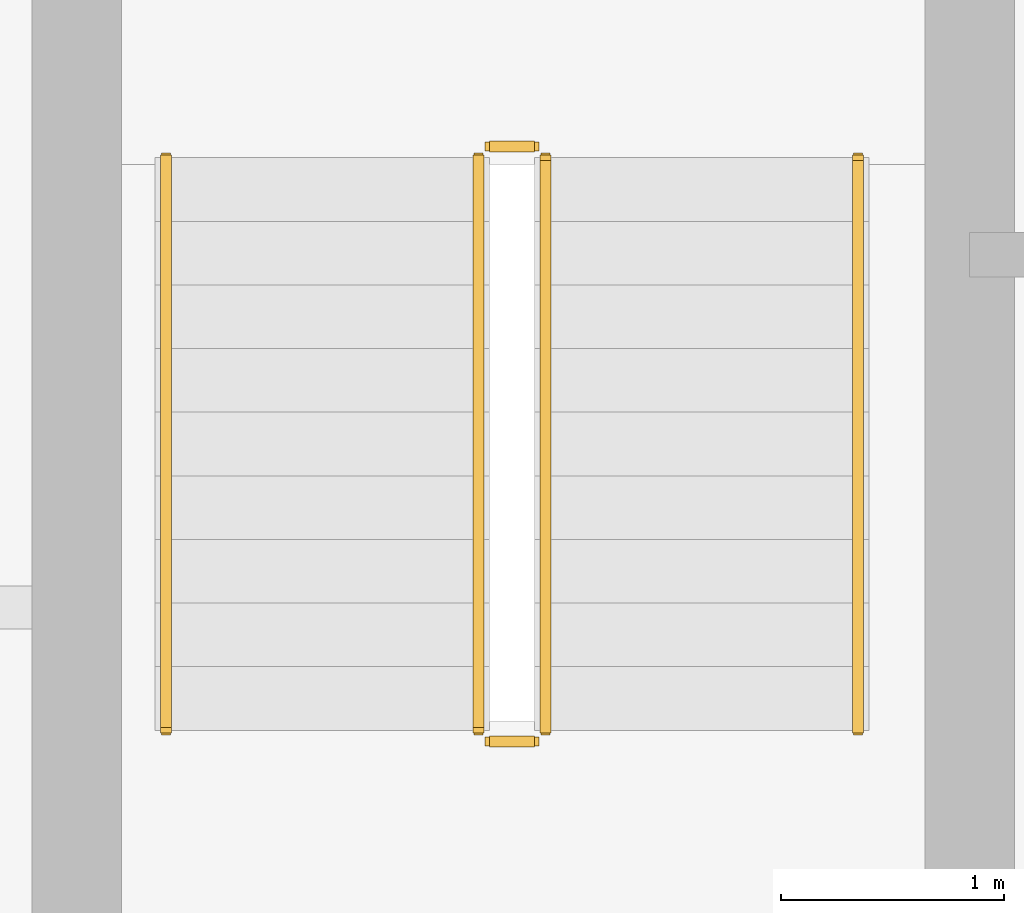
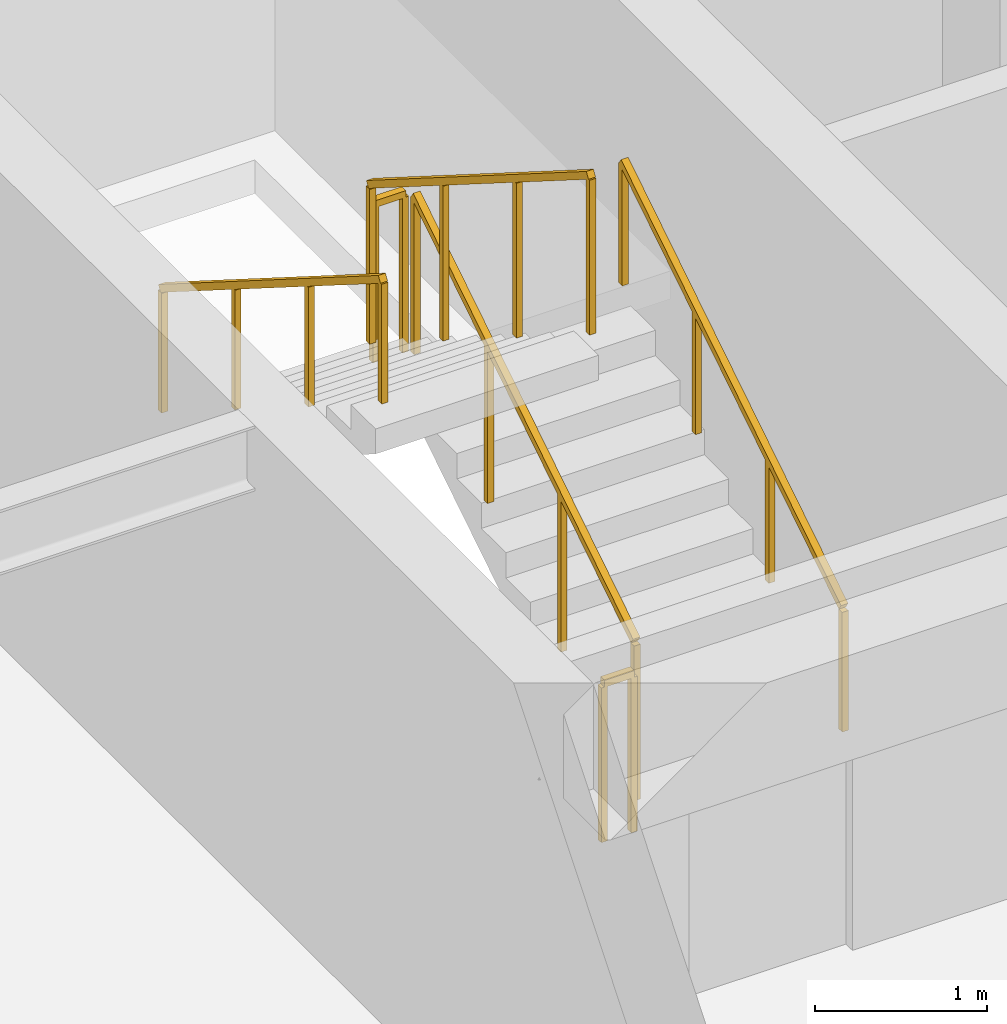
# One storey, part 21 of 23: 6 railings.
"""IFC4 building model written with IfcOpenShell, lengths in metres."""

from ifc_helpers import new_model, si_unit, direction, frame, origin, origin_2d, place, context, subcontext, project, spatial, rectangle, extrude, material, type_object, element, save


model = new_model("IFC4")

# Units and contexts
model_context = context("Model", 3, precision=1e-05, world=origin(), true_north=direction((0.0, 1.0)))
body_context = subcontext(model_context, "Body", "Model", "MODEL_VIEW")
ifc_project = project(units=[si_unit("LENGTHUNIT", "METRE"), si_unit("AREAUNIT", "SQUARE_METRE"), si_unit("VOLUMEUNIT", "CUBIC_METRE"), si_unit("PLANEANGLEUNIT", "RADIAN"), si_unit("MASSUNIT", "GRAM", prefix="KILO")], contexts=[model_context])

# Site, building, storey
site_placement = place(None, origin())
site = spatial("IfcSite", under=ifc_project, at=site_placement, CompositionType="ELEMENT")
building_placement = place(site_placement, origin())
building = spatial("IfcBuilding", under=site, at=building_placement, Name="Sarneth Arch Tower", CompositionType="ELEMENT")
storey_placement = place(building_placement, frame((0.0, 0.0, 231.60009765625)))
storey = spatial("IfcBuildingStorey", under=building, at=storey_placement, Name="L59", CompositionType="ELEMENT", Elevation=231.60009765625)

# Railings
ifc_material_1 = material(Name="Brushed Stainless Steel 304 tubular handrail", Category="steel")
railing_type_1 = type_object("IfcRailingType", Name="RAIL-HANDRAIL-900", PredefinedType="HANDRAIL", material=ifc_material_1)
railing_1_placement = place(storey_placement, frame((40.5, 41.449951171875, 0.179931640625)))
element("IfcRailing", 1, at=railing_1_placement, inside=storey, type_object=railing_type_1, Name="L59 ST-1 stair handrail 1", PredefinedType="HANDRAIL", context=body_context, shape_type="SweptSolid", body=[
    extrude(rectangle(XDim=0.048095703125, YDim=0.048095703125, at=origin_2d()), frame((0.0, 0.0, 0.8759765625), z_axis=(0.0, 0.845502289212, 0.533971796014), x_axis=(-1.0, 0.0, 0.0)), (0.0, 0.0, 1.0), 3.03369140625),
    extrude(rectangle(XDim=0.0419921875, YDim=0.0419921875, at=origin_2d()), origin(), (0.0, 0.0, 1.0), 0.851806640625),
    extrude(rectangle(XDim=0.0419921875, YDim=0.0419921875, at=origin_2d()), frame((0.0, 0.85498046875, 0.5400390625)), (0.0, 0.0, 1.0), 0.851806640625),
    extrude(rectangle(XDim=0.0419921875, YDim=0.0419921875, at=origin_2d()), frame((0.0, 1.7099609375, 1.079833984375)), (0.0, 0.0, 1.0), 0.851806640625),
    extrude(rectangle(XDim=0.0419921875, YDim=0.0419921875, at=origin_2d()), frame((0.0, 2.56494140625, 1.619873046875)), (0.0, 0.0, 1.0), 0.851806640625),
])
railing_2_placement = place(storey_placement, frame((37.39990234375, 44.014892578125, 1.97998046875)))
element("IfcRailing", 2, at=railing_2_placement, inside=storey, type_object=railing_type_1, Name="L59 ST-1 stair handrail 2", PredefinedType="HANDRAIL", context=body_context, shape_type="SweptSolid", body=[
    extrude(rectangle(XDim=0.048095703125, YDim=0.048095703125, at=origin_2d()), frame((0.0, 0.0, 0.8759765625), z_axis=(0.0, -0.845502289212, 0.533971796014), x_axis=(1.0, 0.0, 0.0)), (0.0, 0.0, 1.0), 3.03369140625),
    extrude(rectangle(XDim=0.0419921875, YDim=0.0419921875, at=origin_2d()), origin(), (0.0, 0.0, 1.0), 0.851806640625),
    extrude(rectangle(XDim=0.0419921875, YDim=0.0419921875, at=origin_2d()), frame((0.0, -0.85498046875, 0.5400390625)), (0.0, 0.0, 1.0), 0.851806640625),
    extrude(rectangle(XDim=0.0419921875, YDim=0.0419921875, at=origin_2d()), frame((0.0, -1.7099609375, 1.079833984375)), (0.0, 0.0, 1.0), 0.851806640625),
    extrude(rectangle(XDim=0.0419921875, YDim=0.0419921875, at=origin_2d()), frame((0.0, -2.56494140625, 1.619873046875)), (0.0, 0.0, 1.0), 0.851806640625),
])
ifc_material_2 = material(Name="Painted Steel S275 stair well guard", Category="steel")
railing_type_2 = type_object("IfcRailingType", Name="RAIL-STAIR-GUARD", PredefinedType="GUARDRAIL", material=ifc_material_2)
railing_3_placement = place(storey_placement, frame((39.10009765625, 41.449951171875, 0.179931640625)))
element("IfcRailing", 3, at=railing_3_placement, inside=storey, type_object=railing_type_2, Name="L59 ST-1 stair guard 1", PredefinedType="GUARDRAIL", context=body_context, shape_type="SweptSolid", body=[
    extrude(rectangle(XDim=0.048095703125, YDim=0.048095703125, at=origin_2d()), frame((0.0, 0.0, 1.1259765625), z_axis=(0.0, 0.845502289212, 0.533971796014), x_axis=(-1.0, 0.0, 0.0)), (0.0, 0.0, 1.0), 3.03369140625),
    extrude(rectangle(XDim=0.0419921875, YDim=0.0419921875, at=origin_2d()), origin(), (0.0, 0.0, 1.0), 1.101806640625),
    extrude(rectangle(XDim=0.0419921875, YDim=0.0419921875, at=origin_2d()), frame((0.0, 0.85498046875, 0.5400390625)), (0.0, 0.0, 1.0), 1.101806640625),
    extrude(rectangle(XDim=0.0419921875, YDim=0.0419921875, at=origin_2d()), frame((0.0, 1.7099609375, 1.079833984375)), (0.0, 0.0, 1.0), 1.101806640625),
    extrude(rectangle(XDim=0.0419921875, YDim=0.0419921875, at=origin_2d()), frame((0.0, 2.56494140625, 1.619873046875)), (0.0, 0.0, 1.0), 1.101806640625),
])
railing_4_placement = place(storey_placement, frame((39.050048828125, 44.06494140625, 1.7998046875)))
element("IfcRailing", 4, at=railing_4_placement, inside=storey, type_object=railing_type_2, Name="L59 ST-1 stair guard 2", PredefinedType="GUARDRAIL", context=body_context, shape_type="SweptSolid", body=[
    extrude(rectangle(XDim=0.048095703125, YDim=0.048095703125, at=origin_2d()), frame((0.0, 0.0, 1.1259765625), z_axis=(-1.0, 0.0, 0.0), x_axis=(0.0, -1.0, 0.0)), (0.0, 0.0, 1.0), 0.199951171875),
    extrude(rectangle(XDim=0.0419921875, YDim=0.0419921875, at=origin_2d()), origin(), (0.0, 0.0, 1.0), 1.101806640625),
    extrude(rectangle(XDim=0.0419921875, YDim=0.0419921875, at=origin_2d()), frame((-0.199951171875, 0.0, 0.0)), (0.0, 0.0, 1.0), 1.101806640625),
])
railing_5_placement = place(storey_placement, frame((38.800048828125, 44.014892578125, 1.97998046875)))
element("IfcRailing", 5, at=railing_5_placement, inside=storey, type_object=railing_type_2, Name="L59 ST-1 stair guard 3", PredefinedType="GUARDRAIL", context=body_context, shape_type="SweptSolid", body=[
    extrude(rectangle(XDim=0.048095703125, YDim=0.048095703125, at=origin_2d()), frame((0.0, 0.0, 1.1259765625), z_axis=(0.0, -0.845502289212, 0.533971796014), x_axis=(1.0, 0.0, 0.0)), (0.0, 0.0, 1.0), 3.03369140625),
    extrude(rectangle(XDim=0.0419921875, YDim=0.0419921875, at=origin_2d()), origin(), (0.0, 0.0, 1.0), 1.101806640625),
    extrude(rectangle(XDim=0.0419921875, YDim=0.0419921875, at=origin_2d()), frame((0.0, -0.85498046875, 0.5400390625)), (0.0, 0.0, 1.0), 1.101806640625),
    extrude(rectangle(XDim=0.0419921875, YDim=0.0419921875, at=origin_2d()), frame((0.0, -1.7099609375, 1.079833984375)), (0.0, 0.0, 1.0), 1.101806640625),
    extrude(rectangle(XDim=0.0419921875, YDim=0.0419921875, at=origin_2d()), frame((0.0, -2.56494140625, 1.619873046875)), (0.0, 0.0, 1.0), 1.101806640625),
])
railing_6_placement = place(storey_placement, frame((39.050048828125, 41.39990234375, 0.0)))
element("IfcRailing", 6, at=railing_6_placement, inside=storey, type_object=railing_type_2, Name="L59 ST-1 stair guard 4", PredefinedType="GUARDRAIL", context=body_context, shape_type="SweptSolid", body=[
    extrude(rectangle(XDim=0.048095703125, YDim=0.048095703125, at=origin_2d()), frame((0.0, 0.0, 1.1259765625), z_axis=(-1.0, 0.0, 0.0), x_axis=(0.0, -1.0, 0.0)), (0.0, 0.0, 1.0), 0.199951171875),
    extrude(rectangle(XDim=0.0419921875, YDim=0.0419921875, at=origin_2d()), origin(), (0.0, 0.0, 1.0), 1.101806640625),
    extrude(rectangle(XDim=0.0419921875, YDim=0.0419921875, at=origin_2d()), frame((-0.199951171875, 0.0, 0.0)), (0.0, 0.0, 1.0), 1.101806640625),
])

save(model, "model.ifc")
